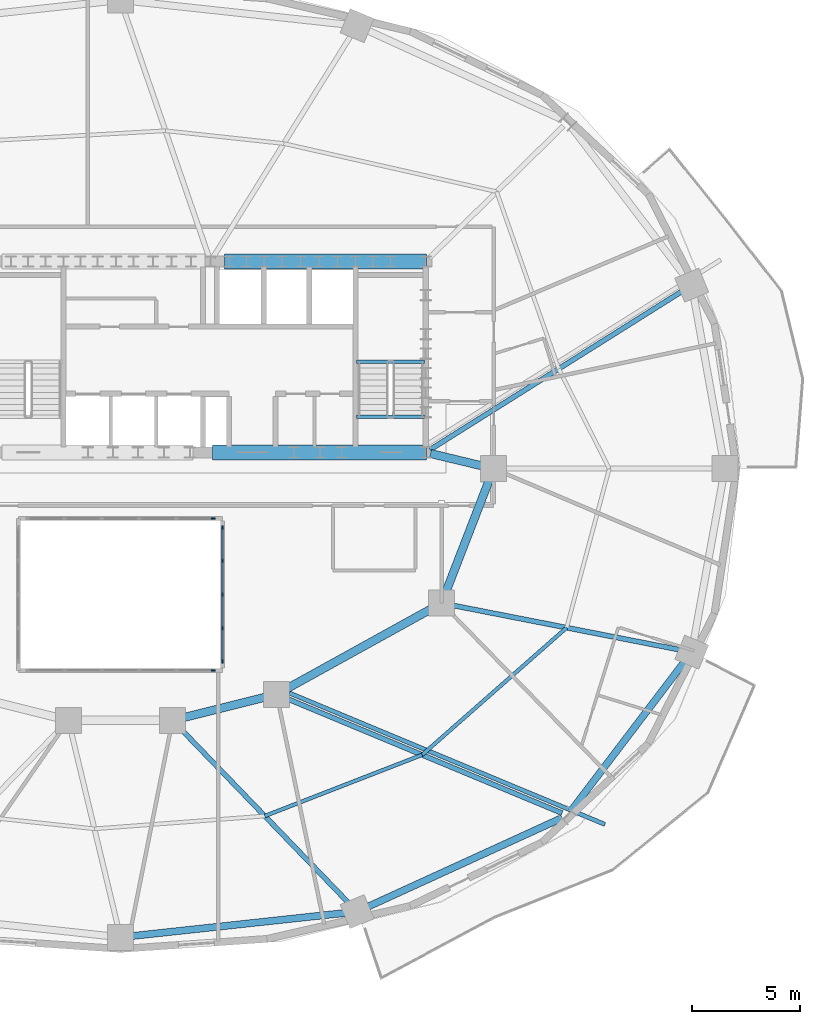
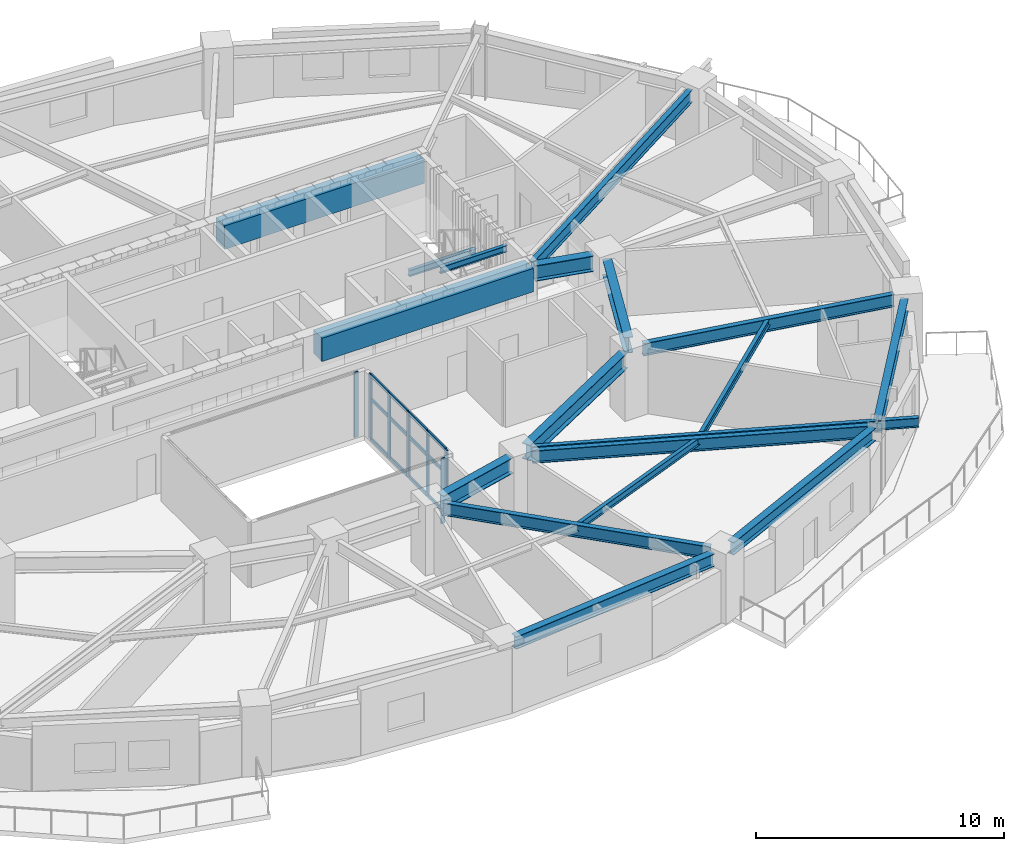
# One storey, part 4 of 12: 19 members, 18 beams, 3 elements without a shape of their own.
"""IFC4 building model written with IfcOpenShell, lengths in metres."""

import ifcopenshell
import ifcopenshell.guid

model = None  # the IFC model being written
_history = None  # IfcOwnerHistory: only IFC2X3 demands one
_inside = {}  # id of a spatial element -> (the spatial element, [elements in it])
_under = {}  # id of a project, library or spatial element -> (it, [spatial elements below it])
_declared = {}  # id of a project -> (the project, [libraries it declares])
_typed = {}  # id of a type object -> (the type object, [elements of that type])
_made_of = {}  # id of a material, layer set ... -> (it, [elements and type objects made of it])


def new_model(schema):
    """Start an empty IFC model of exactly this schema.

    Asked for "IFC4X3", IfcOpenShell would pick the latest addendum, in which some entities
    have other attributes; the version numbers below select the first issue.
    IFC2X3 requires an IfcOwnerHistory on every rooted entity: one is made here for all.
    """
    global model, _history
    if schema == "IFC4X3":
        model = ifcopenshell.file(schema_version=(4, 3, 0, 0))
    else:
        model = ifcopenshell.file(schema=schema)
    _inside.clear()
    _under.clear()
    _declared.clear()
    _typed.clear()
    _made_of.clear()
    _history = None
    if model.schema == "IFC2X3":
        org = make("IfcOrganization", Name="unknown")
        user = make(
            "IfcPersonAndOrganization",
            ThePerson=make("IfcPerson", FamilyName="unknown"),
            TheOrganization=org,
        )
        app = make(
            "IfcApplication",
            ApplicationDeveloper=org,
            Version="unknown",
            ApplicationFullName="unknown",
            ApplicationIdentifier="unknown",
        )
        _history = make(
            "IfcOwnerHistory",
            OwningUser=user,
            OwningApplication=app,
            ChangeAction="ADDED",
            CreationDate=0,
        )
    return model


def make(cls, **values):
    """One entity of the class cls with the attributes given. An attribute that is None is left unset."""
    return model.create_entity(
        cls, **{name: value for name, value in values.items() if value is not None}
    )


def rooted(cls, **values):
    """An entity with a GlobalId (a new one), such as an element, a storey or a relation."""
    return make(cls, GlobalId=ifcopenshell.guid.new(), OwnerHistory=_history, **values)


def si_unit(unit_type, name, prefix=None):
    """IfcSIUnit, for example si_unit("LENGTHUNIT", "METRE", prefix="MILLI")."""
    return make("IfcSIUnit", UnitType=unit_type, Prefix=prefix, Name=name)


def assignment(units):
    """IfcUnitAssignment: the units of a project."""
    return None if units is None else make("IfcUnitAssignment", Units=units)


def point(xyz):
    """IfcCartesianPoint."""
    return None if xyz is None else make("IfcCartesianPoint", Coordinates=xyz)


def direction(xyz):
    """IfcDirection."""
    return None if xyz is None else make("IfcDirection", DirectionRatios=xyz)


def frame(location, z_axis=None, x_axis=None):
    """IfcAxis2Placement3D, a coordinate frame: its origin and axes. An axis left out is left unset."""
    return make(
        "IfcAxis2Placement3D",
        Location=point(location),
        Axis=direction(z_axis),
        RefDirection=direction(x_axis),
    )


def frame_2d(location, x_axis=None):
    """IfcAxis2Placement2D, a coordinate frame in the plane: its origin and x axis."""
    return make(
        "IfcAxis2Placement2D", Location=point(location), RefDirection=direction(x_axis)
    )


def origin():
    """The frame at (0, 0, 0) with its axes left unset."""
    return frame((0.0, 0.0, 0.0))


def origin_2d():
    """The frame at (0, 0) in the plane with its x axis left unset."""
    return frame_2d((0.0, 0.0))


def place(relative_to, where):
    """IfcLocalPlacement: puts the frame where relative to a parent placement (None: the world)."""
    return make(
        "IfcLocalPlacement", PlacementRelTo=relative_to, RelativePlacement=where
    )


def context(
    kind, dimensions, precision=None, world=None, true_north=None, identifier=None
):
    """IfcGeometricRepresentationContext, for example the 3D "Model" context."""
    return make(
        "IfcGeometricRepresentationContext",
        ContextIdentifier=identifier,
        ContextType=kind,
        CoordinateSpaceDimension=dimensions,
        Precision=precision,
        WorldCoordinateSystem=world,
        TrueNorth=true_north,
    )


def subcontext(parent, identifier, kind, view, scale=None):
    """IfcGeometricRepresentationSubContext, for example "Body" below "Model"."""
    return make(
        "IfcGeometricRepresentationSubContext",
        ContextIdentifier=identifier,
        ContextType=kind,
        ParentContext=parent,
        TargetScale=scale,
        TargetView=view,
    )


def project(units=None, contexts=None):
    """IfcProject with its units and contexts."""
    return rooted(
        "IfcProject",
        Name="project",
        RepresentationContexts=contexts,
        UnitsInContext=assignment(units),
    )


def spatial(cls, under=None, at=None, **own):
    """A site, building, storey or space (cls), placed at a placement, below another one or the project."""
    s = rooted(cls, ObjectPlacement=at, **own)
    if under is not None:
        _under.setdefault(under.id(), (under, []))[1].append(s)
    return s


def profile(cls, at=None, kind="AREA", **sizes):
    """A parametric profile (cls). Its sizes go by their IFC names, for example OverallWidth=200.0."""
    return make(cls, ProfileType=kind, Position=at, **sizes)


def rectangle(**sizes):
    """IfcRectangleProfileDef."""
    return profile("IfcRectangleProfileDef", **sizes)


def i_section(**sizes):
    """IfcIShapeProfileDef."""
    return profile("IfcIShapeProfileDef", **sizes)


def extrude(swept, where, along, depth):
    """IfcExtrudedAreaSolid: the profile swept, set in the frame where, extruded along a direction by depth."""
    return make(
        "IfcExtrudedAreaSolid",
        SweptArea=swept,
        Position=where,
        ExtrudedDirection=direction(along),
        Depth=depth,
    )


def shape(context_of_items, identifier, shape_type, items):
    """IfcShapeRepresentation: the items that make up one representation, for example the "Body"."""
    return make(
        "IfcShapeRepresentation",
        ContextOfItems=context_of_items,
        RepresentationIdentifier=identifier,
        RepresentationType=shape_type,
        Items=items,
    )


def material(Name=None, Category=None):
    """IfcMaterial."""
    return make("IfcMaterial", Name=Name, Category=Category)


def material_profile(
    of_material, cross_section, Name=None, Category=None, Priority=None
):
    """IfcMaterialProfile: a cross section and its material."""
    return make(
        "IfcMaterialProfile",
        Name=Name,
        Material=of_material,
        Profile=cross_section,
        Priority=Priority,
        Category=Category,
    )


def profile_set(profiles, Name=None, composite=None):
    """IfcMaterialProfileSet."""
    return make(
        "IfcMaterialProfileSet",
        Name=Name,
        MaterialProfiles=profiles,
        CompositeProfile=composite,
    )


def made_of(thing, what):
    """Note that an element or type object is made of a material, layer set ...; save() writes the relation."""
    if what is not None:
        _made_of.setdefault(what.id(), (what, []))[1].append(thing)
    return thing


def type_object(cls, material=None, **own):
    """A type object (cls), such as IfcWallType, which elements share."""
    return made_of(rooted(cls, **own), material)


def element(
    cls,
    number,
    at=None,
    inside=None,
    cuts=None,
    type_object=None,
    material=None,
    context=None,
    identifier="Body",
    shape_type=None,
    held_by="IfcProductDefinitionShape",
    body=None,
    shapes=None,
    **own,
):
    """One element of the class cls, such as IfcWall. Its Tag is "e" and its number.

    at: its placement. inside: the storey or other place that contains it. cuts: it is an
    opening in that element (IfcRelVoidsElement). A single representation is given by context,
    identifier, shape_type and body (its items); several are given by shapes. held_by: the class
    of the entity that holds the representations. save() writes the other relations.
    """
    e = rooted(cls, Tag="e%d" % number, ObjectPlacement=at, **own)
    if body is not None:
        shapes = [shape(context, identifier, shape_type, body)]
    if shapes is not None:
        e.Representation = make(held_by, Representations=shapes)
    if inside is not None:
        _inside.setdefault(inside.id(), (inside, []))[1].append(e)
    if cuts is not None:
        rooted(
            "IfcRelVoidsElement", RelatingBuildingElement=cuts, RelatedOpeningElement=e
        )
    if type_object is not None:
        _typed.setdefault(type_object.id(), (type_object, []))[1].append(e)
    return made_of(e, material)


def aggregate(whole, parts):
    """IfcRelAggregates: a whole, such as a stair, and the parts it consists of."""
    return rooted("IfcRelAggregates", RelatingObject=whole, RelatedObjects=parts)


def save(model, path):
    """Write the relations noted so far, then the file.

    IfcRelAggregates (storeys below a building ...), IfcRelContainedInSpatialStructure (elements
    in a storey), IfcRelDefinesByType, IfcRelAssociatesMaterial and IfcRelDeclares: one each for
    every whole, place, type object, material and project.
    """
    for whole, parts in _under.values():
        aggregate(whole, parts)
    for where, things in _inside.values():
        rooted(
            "IfcRelContainedInSpatialStructure",
            RelatedElements=things,
            RelatingStructure=where,
        )
    for kind, things in _typed.values():
        rooted("IfcRelDefinesByType", RelatedObjects=things, RelatingType=kind)
    for what, things in _made_of.values():
        rooted("IfcRelAssociatesMaterial", RelatedObjects=things, RelatingMaterial=what)
    for by, libraries in _declared.values():
        rooted("IfcRelDeclares", RelatingContext=by, RelatedDefinitions=libraries)
    model.write(path)


model = new_model("IFC4")

# Units and contexts
model_context = context("Model", 3, precision=1e-05, world=origin(), true_north=direction((0.0, 1.0)))
body_context = subcontext(model_context, "Body", "Model", "MODEL_VIEW")
ifc_project = project(units=[si_unit("LENGTHUNIT", "METRE"), si_unit("AREAUNIT", "SQUARE_METRE"), si_unit("VOLUMEUNIT", "CUBIC_METRE"), si_unit("PLANEANGLEUNIT", "RADIAN"), si_unit("MASSUNIT", "GRAM", prefix="KILO")], contexts=[model_context])

# Site, building, storey
site_placement = place(None, origin())
site = spatial("IfcSite", under=ifc_project, at=site_placement, CompositionType="ELEMENT")
building_placement = place(site_placement, origin())
building = spatial("IfcBuilding", under=site, at=building_placement, Name="Haldorwick Loom Tower", CompositionType="ELEMENT")
storey_placement = place(building_placement, frame((0.0, 0.0, 113.89990234375)))
storey = spatial("IfcBuildingStorey", under=building, at=storey_placement, Name="L30", CompositionType="ELEMENT", Elevation=113.89990234375)

# Curtain wall, member
ifc_material_1 = material(Name="Thermally Broken Anodized Aluminium Curtain Wall Framing", Category="aluminium")
curtain_wall_type = type_object("IfcCurtainWallType", Name="ARC-CW-03", PredefinedType="NOTDEFINED", material=ifc_material_1)
curtain_wall_1_placement = place(storey_placement, origin())
curtain_wall_1 = element("IfcCurtainWall", 1, at=curtain_wall_1_placement, inside=storey, type_object=curtain_wall_type, Name="L30 Atrium Glazed Screen S", PredefinedType="NOTDEFINED")
ifc_material_profile_1 = material_profile(ifc_material_1, rectangle(XDim=0.06591796875, YDim=0.18505859375, at=origin_2d()), Name="ALU_MUL_66X185", Category="aluminium")
ifc_profile_set_1 = profile_set([ifc_material_profile_1], Name="Thermally Broken Anodized Aluminium Curtain Wall Framing")
member_type_1 = type_object("IfcMemberType", Name="ARC-CWM-03", PredefinedType="MULLION", material=ifc_profile_set_1)
member_1_placement = place(storey_placement, frame((40.26708984375, 16.699951171875, 0.0), z_axis=(0.0, 0.0, 1.0), x_axis=(0.0, -1.0, 0.0)))
member_1 = element("IfcMember", 2, at=member_1_placement, type_object=member_type_1, Name="CW-03 mullion 1", PredefinedType="MULLION", context=body_context, shape_type="SweptSolid", body=[
    extrude(rectangle(XDim=0.06591796875, YDim=0.18505859375, at=origin_2d()), origin(), (0.0, 0.0, 1.0), 3.210205078125),
])
aggregate(curtain_wall_1, [member_1])

curtain_wall_2_placement = place(storey_placement, origin())
curtain_wall_2 = element("IfcCurtainWall", 3, at=curtain_wall_2_placement, inside=storey, type_object=curtain_wall_type, Name="L30 Atrium Glazed Screen N", PredefinedType="NOTDEFINED")
member_2_placement = place(storey_placement, frame((40.26708984375, 23.699951171875, 0.0), z_axis=(0.0, 0.0, 1.0), x_axis=(0.0, 1.0, 0.0)))
member_2 = element("IfcMember", 4, at=member_2_placement, type_object=member_type_1, Name="CW-03 mullion 6", PredefinedType="MULLION", context=body_context, shape_type="SweptSolid", body=[
    extrude(rectangle(XDim=0.06591796875, YDim=0.18505859375, at=origin_2d()), origin(), (0.0, 0.0, 1.0), 3.210205078125),
])
aggregate(curtain_wall_2, [member_2])

# Curtain wall, members
curtain_wall_3_placement = place(storey_placement, origin())
curtain_wall_3 = element("IfcCurtainWall", 5, at=curtain_wall_3_placement, inside=storey, type_object=curtain_wall_type, Name="L30 Atrium Glazed Screen E", PredefinedType="NOTDEFINED")
member_3_placement = place(storey_placement, frame((40.699951171875, 23.26708984375, 0.0), z_axis=(0.0, 0.0, 1.0), x_axis=(1.0, 0.0, 0.0)))
member_3 = element("IfcMember", 6, at=member_3_placement, type_object=member_type_1, Name="CW-03 mullion 1", PredefinedType="MULLION", context=body_context, shape_type="SweptSolid", body=[
    extrude(rectangle(XDim=0.06591796875, YDim=0.18505859375, at=origin_2d()), origin(), (0.0, 0.0, 1.0), 3.210205078125),
])
member_4_placement = place(storey_placement, frame((40.699951171875, 21.75, 0.0), z_axis=(0.0, 0.0, 1.0), x_axis=(1.0, 0.0, 0.0)))
member_4 = element("IfcMember", 7, at=member_4_placement, type_object=member_type_1, Name="CW-03 mullion 2", PredefinedType="MULLION", context=body_context, shape_type="SweptSolid", body=[
    extrude(rectangle(XDim=0.06591796875, YDim=0.18505859375, at=origin_2d()), origin(), (0.0, 0.0, 1.0), 3.210205078125),
])
member_5_placement = place(storey_placement, frame((40.699951171875, 20.199951171875, 0.0), z_axis=(0.0, 0.0, 1.0), x_axis=(1.0, 0.0, 0.0)))
member_5 = element("IfcMember", 8, at=member_5_placement, type_object=member_type_1, Name="CW-03 mullion 3", PredefinedType="MULLION", context=body_context, shape_type="SweptSolid", body=[
    extrude(rectangle(XDim=0.06591796875, YDim=0.18505859375, at=origin_2d()), origin(), (0.0, 0.0, 1.0), 3.210205078125),
])
member_6_placement = place(storey_placement, frame((40.699951171875, 18.64990234375, 0.0), z_axis=(0.0, 0.0, 1.0), x_axis=(1.0, 0.0, 0.0)))
member_6 = element("IfcMember", 9, at=member_6_placement, type_object=member_type_1, Name="CW-03 mullion 4", PredefinedType="MULLION", context=body_context, shape_type="SweptSolid", body=[
    extrude(rectangle(XDim=0.06591796875, YDim=0.18505859375, at=origin_2d()), origin(), (0.0, 0.0, 1.0), 3.210205078125),
])
member_7_placement = place(storey_placement, frame((40.699951171875, 17.133056640625, 0.0), z_axis=(0.0, 0.0, 1.0), x_axis=(1.0, 0.0, 0.0)))
member_7 = element("IfcMember", 10, at=member_7_placement, type_object=member_type_1, Name="CW-03 mullion 5", PredefinedType="MULLION", context=body_context, shape_type="SweptSolid", body=[
    extrude(rectangle(XDim=0.06591796875, YDim=0.18505859375, at=origin_2d()), origin(), (0.0, 0.0, 1.0), 3.210205078125),
])
ifc_material_profile_2 = material_profile(ifc_material_1, rectangle(XDim=0.06591796875, YDim=0.1650390625, at=origin_2d()), Name="ALU_TRN_66X165", Category="aluminium")
ifc_profile_set_2 = profile_set([ifc_material_profile_2], Name="Thermally Broken Anodized Aluminium Curtain Wall Framing")
member_type_2 = type_object("IfcMemberType", Name="ARC-CWT-03", PredefinedType="USERDEFINED", material=ifc_profile_set_2)
member_8_placement = place(storey_placement, frame((40.699951171875, 23.23388671875, 0.033203125), z_axis=(0.0, -1.0, 0.0), x_axis=(1.0, 0.0, 0.0)))
member_8 = element("IfcMember", 11, at=member_8_placement, type_object=member_type_2, Name="CW-03 transom 1.1", ObjectType="TRANSOM", PredefinedType="USERDEFINED", context=body_context, shape_type="SweptSolid", body=[
    extrude(rectangle(XDim=0.06591796875, YDim=0.1650390625, at=origin_2d()), origin(), (0.0, 0.0, 1.0), 1.450927734375),
])
member_9_placement = place(storey_placement, frame((40.699951171875, 23.23388671875, 2.0), z_axis=(0.0, -1.0, 0.0), x_axis=(1.0, 0.0, 0.0)))
member_9 = element("IfcMember", 12, at=member_9_placement, type_object=member_type_2, Name="CW-03 transom 1.2", ObjectType="TRANSOM", PredefinedType="USERDEFINED", context=body_context, shape_type="SweptSolid", body=[
    extrude(rectangle(XDim=0.06591796875, YDim=0.1650390625, at=origin_2d()), origin(), (0.0, 0.0, 1.0), 1.450927734375),
])
member_10_placement = place(storey_placement, frame((40.699951171875, 23.23388671875, 3.177001953125), z_axis=(0.0, -1.0, 0.0), x_axis=(1.0, 0.0, 0.0)))
member_10 = element("IfcMember", 13, at=member_10_placement, type_object=member_type_2, Name="CW-03 transom 1.3", ObjectType="TRANSOM", PredefinedType="USERDEFINED", context=body_context, shape_type="SweptSolid", body=[
    extrude(rectangle(XDim=0.06591796875, YDim=0.1650390625, at=origin_2d()), origin(), (0.0, 0.0, 1.0), 1.450927734375),
])
member_11_placement = place(storey_placement, frame((40.699951171875, 21.717041015625, 0.033203125), z_axis=(0.0, -1.0, 0.0), x_axis=(1.0, 0.0, 0.0)))
member_11 = element("IfcMember", 14, at=member_11_placement, type_object=member_type_2, Name="CW-03 transom 2.1", ObjectType="TRANSOM", PredefinedType="USERDEFINED", context=body_context, shape_type="SweptSolid", body=[
    extrude(rectangle(XDim=0.06591796875, YDim=0.1650390625, at=origin_2d()), origin(), (0.0, 0.0, 1.0), 1.484130859375),
])
member_12_placement = place(storey_placement, frame((40.699951171875, 21.717041015625, 2.0), z_axis=(0.0, -1.0, 0.0), x_axis=(1.0, 0.0, 0.0)))
member_12 = element("IfcMember", 15, at=member_12_placement, type_object=member_type_2, Name="CW-03 transom 2.2", ObjectType="TRANSOM", PredefinedType="USERDEFINED", context=body_context, shape_type="SweptSolid", body=[
    extrude(rectangle(XDim=0.06591796875, YDim=0.1650390625, at=origin_2d()), origin(), (0.0, 0.0, 1.0), 1.484130859375),
])
member_13_placement = place(storey_placement, frame((40.699951171875, 21.717041015625, 3.177001953125), z_axis=(0.0, -1.0, 0.0), x_axis=(1.0, 0.0, 0.0)))
member_13 = element("IfcMember", 16, at=member_13_placement, type_object=member_type_2, Name="CW-03 transom 2.3", ObjectType="TRANSOM", PredefinedType="USERDEFINED", context=body_context, shape_type="SweptSolid", body=[
    extrude(rectangle(XDim=0.06591796875, YDim=0.1650390625, at=origin_2d()), origin(), (0.0, 0.0, 1.0), 1.484130859375),
])
member_14_placement = place(storey_placement, frame((40.699951171875, 20.1669921875, 0.033203125), z_axis=(0.0, -1.0, 0.0), x_axis=(1.0, 0.0, 0.0)))
member_14 = element("IfcMember", 17, at=member_14_placement, type_object=member_type_2, Name="CW-03 transom 3.1", ObjectType="TRANSOM", PredefinedType="USERDEFINED", context=body_context, shape_type="SweptSolid", body=[
    extrude(rectangle(XDim=0.06591796875, YDim=0.1650390625, at=origin_2d()), origin(), (0.0, 0.0, 1.0), 1.48388671875),
])
member_15_placement = place(storey_placement, frame((40.699951171875, 20.1669921875, 2.0), z_axis=(0.0, -1.0, 0.0), x_axis=(1.0, 0.0, 0.0)))
member_15 = element("IfcMember", 18, at=member_15_placement, type_object=member_type_2, Name="CW-03 transom 3.2", ObjectType="TRANSOM", PredefinedType="USERDEFINED", context=body_context, shape_type="SweptSolid", body=[
    extrude(rectangle(XDim=0.06591796875, YDim=0.1650390625, at=origin_2d()), origin(), (0.0, 0.0, 1.0), 1.48388671875),
])
member_16_placement = place(storey_placement, frame((40.699951171875, 20.1669921875, 3.177001953125), z_axis=(0.0, -1.0, 0.0), x_axis=(1.0, 0.0, 0.0)))
member_16 = element("IfcMember", 19, at=member_16_placement, type_object=member_type_2, Name="CW-03 transom 3.3", ObjectType="TRANSOM", PredefinedType="USERDEFINED", context=body_context, shape_type="SweptSolid", body=[
    extrude(rectangle(XDim=0.06591796875, YDim=0.1650390625, at=origin_2d()), origin(), (0.0, 0.0, 1.0), 1.48388671875),
])
member_17_placement = place(storey_placement, frame((40.699951171875, 18.616943359375, 0.033203125), z_axis=(0.0, -1.0, 0.0), x_axis=(1.0, 0.0, 0.0)))
member_17 = element("IfcMember", 20, at=member_17_placement, type_object=member_type_2, Name="CW-03 transom 4.1", ObjectType="TRANSOM", PredefinedType="USERDEFINED", context=body_context, shape_type="SweptSolid", body=[
    extrude(rectangle(XDim=0.06591796875, YDim=0.1650390625, at=origin_2d()), origin(), (0.0, 0.0, 1.0), 1.450927734375),
])
member_18_placement = place(storey_placement, frame((40.699951171875, 18.616943359375, 2.0), z_axis=(0.0, -1.0, 0.0), x_axis=(1.0, 0.0, 0.0)))
member_18 = element("IfcMember", 21, at=member_18_placement, type_object=member_type_2, Name="CW-03 transom 4.2", ObjectType="TRANSOM", PredefinedType="USERDEFINED", context=body_context, shape_type="SweptSolid", body=[
    extrude(rectangle(XDim=0.06591796875, YDim=0.1650390625, at=origin_2d()), origin(), (0.0, 0.0, 1.0), 1.450927734375),
])
member_19_placement = place(storey_placement, frame((40.699951171875, 18.616943359375, 3.177001953125), z_axis=(0.0, -1.0, 0.0), x_axis=(1.0, 0.0, 0.0)))
member_19 = element("IfcMember", 22, at=member_19_placement, type_object=member_type_2, Name="CW-03 transom 4.3", ObjectType="TRANSOM", PredefinedType="USERDEFINED", context=body_context, shape_type="SweptSolid", body=[
    extrude(rectangle(XDim=0.06591796875, YDim=0.1650390625, at=origin_2d()), origin(), (0.0, 0.0, 1.0), 1.450927734375),
])
aggregate(curtain_wall_3, [member_3, member_4, member_5, member_6, member_7, member_8, member_9, member_10, member_11, member_12, member_13, member_14, member_15, member_16, member_17, member_18, member_19])

# Beams
ifc_material_2 = material(Name="Steel CSA G40.21 350W", Category="steel")
ifc_material_profile_3 = material_profile(ifc_material_2, i_section(OverallWidth=0.193115234375, OverallDepth=0.466064453125, WebThickness=0.011474609375, FlangeThickness=0.01904296875, at=origin_2d()), Name="W460X97", Category="steel")
ifc_profile_set_3 = profile_set([ifc_material_profile_3], Name="Steel CSA G40.21 350W")
beam_type_1 = type_object("IfcBeamType", Name="STR-BM-BAL460", PredefinedType="BEAM", material=ifc_profile_set_3)
beam_1_placement = place(storey_placement, frame((43.78759765625, 15.65869140625, 2.97705078125), z_axis=(0.923187850755, -0.384349049976, 0.0), x_axis=(0.384349049976, 0.923187850755, 0.0)))
element("IfcBeam", 23, at=beam_1_placement, inside=storey, type_object=beam_type_1, Name="L30 Continuous Back-Spanned Balcony Beam 1", PredefinedType="BEAM", context=body_context, shape_type="SweptSolid", body=[
    extrude(i_section(OverallWidth=0.193115234375, OverallDepth=0.466064453125, WebThickness=0.011474609375, FlangeThickness=0.01904296875, at=origin_2d()), origin(), (0.0, 0.0, 1.0), 15.75244140625),
])
ifc_material_3 = material(Name="Concrete C60 (60 MPa)", Category="concrete")
ifc_material_profile_4 = material_profile(ifc_material_3, rectangle(XDim=0.699951171875, YDim=1.14990234375, at=origin_2d()), Name="RC700X1150", Category="concrete")
ifc_profile_set_4 = profile_set([ifc_material_profile_4], Name="Concrete C60 (60 MPa)")
beam_type_2 = type_object("IfcBeamType", Name="STR-BM-CB1150", PredefinedType="LINTEL", material=ifc_profile_set_4)
beam_2_placement = place(storey_placement, frame((40.800048828125, 35.550048828125, 2.635009765625), z_axis=(1.0, 0.0, 0.0), x_axis=(0.0, 1.0, 0.0)))
element("IfcBeam", 24, at=beam_2_placement, inside=storey, type_object=beam_type_2, Name="L30 Core Coupling Beam CB-N3", PredefinedType="LINTEL", context=body_context, shape_type="SweptSolid", body=[
    extrude(rectangle(XDim=0.699951171875, YDim=1.14990234375, at=origin_2d()), origin(), (0.0, 0.0, 1.0), 9.300048828125),
])
beam_3_placement = place(storey_placement, frame((40.25, 26.75, 2.635009765625), z_axis=(1.0, 0.0, 0.0), x_axis=(0.0, 1.0, 0.0)))
element("IfcBeam", 25, at=beam_3_placement, inside=storey, type_object=beam_type_2, Name="L30 Core Coupling Beam CB-S3", PredefinedType="LINTEL", context=body_context, shape_type="SweptSolid", body=[
    extrude(rectangle(XDim=0.699951171875, YDim=1.14990234375, at=origin_2d()), origin(), (0.0, 0.0, 1.0), 9.85009765625),
])
ifc_material_profile_5 = material_profile(ifc_material_2, i_section(OverallWidth=0.172119140625, OverallDepth=0.35791015625, WebThickness=0.0078125, FlangeThickness=0.01318359375, at=origin_2d()), Name="W360X57", Category="steel")
ifc_profile_set_5 = profile_set([ifc_material_profile_5], Name="Steel CSA G40.21 350W")
beam_type_3 = type_object("IfcBeamType", Name="STR-BM-J360", PredefinedType="JOIST", material=ifc_profile_set_5)
beam_4_placement = place(storey_placement, frame((42.6533203125, 9.9912109375, 3.031005859375), z_axis=(0.932072983051, 0.362270553959, 0.0), x_axis=(-0.362270553959, 0.932072983051, 0.0)))
element("IfcBeam", 26, at=beam_4_placement, inside=storey, type_object=beam_type_3, Name="L30 Mid-Bay Secondary Joist 14", PredefinedType="JOIST", context=body_context, shape_type="SweptSolid", body=[
    extrude(i_section(OverallWidth=0.172119140625, OverallDepth=0.35791015625, WebThickness=0.0078125, FlangeThickness=0.01318359375, at=origin_2d()), origin(), (0.0, 0.0, 1.0), 7.7783203125),
])
beam_5_placement = place(storey_placement, frame((49.9033203125, 12.80908203125, 3.031005859375), z_axis=(0.750721157729, 0.660619212057, 0.0), x_axis=(-0.660619212057, 0.750721157729, 0.0)))
element("IfcBeam", 27, at=beam_5_placement, inside=storey, type_object=beam_type_3, Name="L30 Mid-Bay Secondary Joist 15", PredefinedType="JOIST", context=body_context, shape_type="SweptSolid", body=[
    extrude(i_section(OverallWidth=0.172119140625, OverallDepth=0.35791015625, WebThickness=0.0078125, FlangeThickness=0.01318359375, at=origin_2d()), origin(), (0.0, 0.0, 1.0), 8.8740234375),
])
ifc_material_profile_6 = material_profile(ifc_material_2, i_section(OverallWidth=0.324951171875, OverallDepth=0.615966796875, WebThickness=0.013916015625, FlangeThickness=0.021484375, at=origin_2d()), Name="W610X174", Category="steel")
ifc_profile_set_6 = profile_set([ifc_material_profile_6], Name="Steel CSA G40.21 350W")
beam_type_4 = type_object("IfcBeamType", Name="STR-BM-SP610", PredefinedType="SPANDREL", material=ifc_profile_set_6)
beam_6_placement = place(storey_placement, frame((36.51708984375, 4.45751953125, 2.902099609375), z_axis=(0.994190135627, 0.107638163409, 0.0), x_axis=(-0.107638163409, 0.994190135627, 0.0)))
element("IfcBeam", 28, at=beam_6_placement, inside=storey, type_object=beam_type_4, Name="L30 Perimeter Spandrel 13", PredefinedType="SPANDREL", context=body_context, shape_type="SweptSolid", body=[
    extrude(i_section(OverallWidth=0.324951171875, OverallDepth=0.615966796875, WebThickness=0.013916015625, FlangeThickness=0.021484375, at=origin_2d()), origin(), (0.0, 0.0, 1.0), 9.929931640625),
])
beam_7_placement = place(storey_placement, frame((47.37939453125, 5.798583984375, 2.902099609375), z_axis=(0.909423969306, 0.415870225011, 0.0), x_axis=(-0.415870225011, 0.909423969306, 0.0)))
element("IfcBeam", 29, at=beam_7_placement, inside=storey, type_object=beam_type_4, Name="L30 Perimeter Spandrel 14", PredefinedType="SPANDREL", context=body_context, shape_type="SweptSolid", body=[
    extrude(i_section(OverallWidth=0.324951171875, OverallDepth=0.615966796875, WebThickness=0.013916015625, FlangeThickness=0.021484375, at=origin_2d()), origin(), (0.0, 0.0, 1.0), 9.871337890625),
])
beam_8_placement = place(storey_placement, frame((56.773193359375, 10.2373046875, 2.902099609375), z_axis=(0.605453508047, 0.795880675475, 0.0), x_axis=(-0.795880675475, 0.605453508047, 0.0)))
element("IfcBeam", 30, at=beam_8_placement, inside=storey, type_object=beam_type_4, Name="L30 Perimeter Spandrel 15", PredefinedType="SPANDREL", context=body_context, shape_type="SweptSolid", body=[
    extrude(i_section(OverallWidth=0.324951171875, OverallDepth=0.615966796875, WebThickness=0.013916015625, FlangeThickness=0.021484375, at=origin_2d()), origin(), (0.0, 0.0, 1.0), 8.6591796875),
])
ifc_material_profile_7 = material_profile(ifc_material_2, i_section(OverallWidth=0.166015625, OverallDepth=0.31298828125, WebThickness=0.006591796875, FlangeThickness=0.01123046875, at=origin_2d()), Name="W310X45", Category="steel")
ifc_profile_set_7 = profile_set([ifc_material_profile_7], Name="Steel CSA G40.21 350W")
beam_type_5 = type_object("IfcBeamType", Name="STR-BM-STRM", PredefinedType="BEAM", material=ifc_profile_set_7)
for number, where, z_axis, x_axis, name in (
    (31, (46.889892578125, 28.39990234375, 3.0537109375), (1.0, 0.0, 0.0), (0.0, 1.0, 0.0), "L30 Stair ST-02 Landing Edge Trimmer"),
    (32, (46.889892578125, 30.919921875, 1.36865234375), (1.0, 0.0, 0.0), (0.0, 1.0, 0.0), "L30 Stair ST-02 Half-Landing Trimmer 1"),
):
    element("IfcBeam", number, at=place(storey_placement, frame(where, z_axis=z_axis, x_axis=x_axis)), inside=storey, type_object=beam_type_5, Name=name, PredefinedType="BEAM", context=body_context, shape_type="SweptSolid", body=[
        extrude(i_section(OverallWidth=0.166015625, OverallDepth=0.31298828125, WebThickness=0.006591796875, FlangeThickness=0.01123046875, at=origin_2d()), origin(), (0.0, 0.0, 1.0), 3.1201171875),
    ])
ifc_material_profile_8 = material_profile(ifc_material_2, i_section(OverallWidth=0.22998046875, OverallDepth=0.616943359375, WebThickness=0.01318359375, FlangeThickness=0.022216796875, at=origin_2d()), Name="W610X140", Category="steel")
ifc_profile_set_8 = profile_set([ifc_material_profile_8], Name="Steel CSA G40.21 350W")
beam_type_6 = type_object("IfcBeamType", Name="STR-BM-W610B", PredefinedType="BEAM", material=ifc_profile_set_8)
beam_9_placement = place(storey_placement, frame((50.260498046875, 26.86962890625, 2.901611328125), z_axis=(0.846609551433, 0.532214493811, 0.0), x_axis=(-0.532214493811, 0.846609551433, 0.0)))
element("IfcBeam", 33, at=beam_9_placement, inside=storey, type_object=beam_type_6, Name="L30 Radial Floor Girder 2", PredefinedType="BEAM", context=body_context, shape_type="SweptSolid", body=[
    extrude(i_section(OverallWidth=0.22998046875, OverallDepth=0.616943359375, WebThickness=0.01318359375, FlangeThickness=0.022216796875, at=origin_2d()), origin(), (0.0, 0.0, 1.0), 13.737060546875),
])
beam_10_placement = place(storey_placement, frame((38.760986328125, 14.02587890625, 2.901611328125), z_axis=(0.694287071595, -0.719698174387, 0.0), x_axis=(0.719698174387, 0.694287071595, 0.0)))
element("IfcBeam", 34, at=beam_10_placement, inside=storey, type_object=beam_type_6, Name="L30 Radial Floor Girder 14", PredefinedType="BEAM", context=body_context, shape_type="SweptSolid", body=[
    extrude(i_section(OverallWidth=0.22998046875, OverallDepth=0.616943359375, WebThickness=0.01318359375, FlangeThickness=0.022216796875, at=origin_2d()), origin(), (0.0, 0.0, 1.0), 11.212158203125),
])
beam_11_placement = place(storey_placement, frame((43.68017578125, 15.400146484375, 2.901611328125), z_axis=(0.923183704764, -0.384359008297, 0.0), x_axis=(0.384359008297, 0.923183704764, 0.0)))
element("IfcBeam", 35, at=beam_11_placement, inside=storey, type_object=beam_type_6, Name="L30 Radial Floor Girder 15", PredefinedType="BEAM", context=body_context, shape_type="SweptSolid", body=[
    extrude(i_section(OverallWidth=0.22998046875, OverallDepth=0.616943359375, WebThickness=0.01318359375, FlangeThickness=0.022216796875, at=origin_2d()), origin(), (0.0, 0.0, 1.0), 13.72705078125),
])
beam_12_placement = place(storey_placement, frame((51.310302734375, 19.7001953125, 2.901611328125), z_axis=(0.981369581426, -0.192129499692, 0.0), x_axis=(0.192129499692, 0.981369581426, 0.0)))
element("IfcBeam", 36, at=beam_12_placement, inside=storey, type_object=beam_type_6, Name="L30 Radial Floor Girder 16", PredefinedType="BEAM", context=body_context, shape_type="SweptSolid", body=[
    extrude(i_section(OverallWidth=0.22998046875, OverallDepth=0.616943359375, WebThickness=0.01318359375, FlangeThickness=0.022216796875, at=origin_2d()), origin(), (0.0, 0.0, 1.0), 10.70947265625),
])
ifc_material_profile_9 = material_profile(ifc_material_2, i_section(OverallWidth=0.381103515625, OverallDepth=0.77294921875, WebThickness=0.0166015625, FlangeThickness=0.027587890625, at=origin_2d()), Name="W760X257", Category="steel")
ifc_profile_set_9 = profile_set([ifc_material_profile_9], Name="Steel CSA G40.21 350W")
beam_type_7 = type_object("IfcBeamType", Name="STR-BM-W760", PredefinedType="BEAM", material=ifc_profile_set_9)
beam_13_placement = place(storey_placement, frame((50.288818359375, 26.697509765625, 2.823486328125), z_axis=(0.97247055837, -0.233025777764, 0.0), x_axis=(0.233025777764, 0.97247055837, 0.0)))
element("IfcBeam", 37, at=beam_13_placement, inside=storey, type_object=beam_type_7, Name="L30 Inner Ring Girder 1", PredefinedType="BEAM", context=body_context, shape_type="SweptSolid", body=[
    extrude(i_section(OverallWidth=0.381103515625, OverallDepth=0.77294921875, WebThickness=0.0166015625, FlangeThickness=0.027587890625, at=origin_2d()), origin(), (0.0, 0.0, 1.0), 2.4736328125),
])
beam_14_placement = place(storey_placement, frame((53.01220703125, 25.51513671875, 2.823486328125), z_axis=(-0.360964792353, -0.93257944363, 0.0), x_axis=(0.93257944363, -0.360964792353, 0.0)))
element("IfcBeam", 38, at=beam_14_placement, inside=storey, type_object=beam_type_7, Name="L30 Inner Ring Girder 2", PredefinedType="BEAM", context=body_context, shape_type="SweptSolid", body=[
    extrude(i_section(OverallWidth=0.381103515625, OverallDepth=0.77294921875, WebThickness=0.0166015625, FlangeThickness=0.027587890625, at=origin_2d()), origin(), (0.0, 0.0, 1.0), 5.6083984375),
])
beam_15_placement = place(storey_placement, frame((50.344970703125, 19.548583984375, 2.823486328125), z_axis=(-0.875244382146, -0.483680960471, 0.0), x_axis=(0.483680960471, -0.875244382146, 0.0)))
element("IfcBeam", 39, at=beam_15_placement, inside=storey, type_object=beam_type_7, Name="L30 Inner Ring Girder 3", PredefinedType="BEAM", context=body_context, shape_type="SweptSolid", body=[
    extrude(i_section(OverallWidth=0.381103515625, OverallDepth=0.77294921875, WebThickness=0.0166015625, FlangeThickness=0.027587890625, at=origin_2d()), origin(), (0.0, 0.0, 1.0), 7.6435546875),
])
beam_16_placement = place(storey_placement, frame((42.695556640625, 15.473876953125, 2.823486328125), z_axis=(-0.970142500145, -0.242535625036, 0.0), x_axis=(0.242535625036, -0.970142500145, 0.0)))
element("IfcBeam", 40, at=beam_16_placement, inside=storey, type_object=beam_type_7, Name="L30 Inner Ring Girder 4", PredefinedType="BEAM", context=body_context, shape_type="SweptSolid", body=[
    extrude(i_section(OverallWidth=0.381103515625, OverallDepth=0.77294921875, WebThickness=0.0166015625, FlangeThickness=0.027587890625, at=origin_2d()), origin(), (0.0, 0.0, 1.0), 3.90771484375),
])

save(model, "model.ifc")
